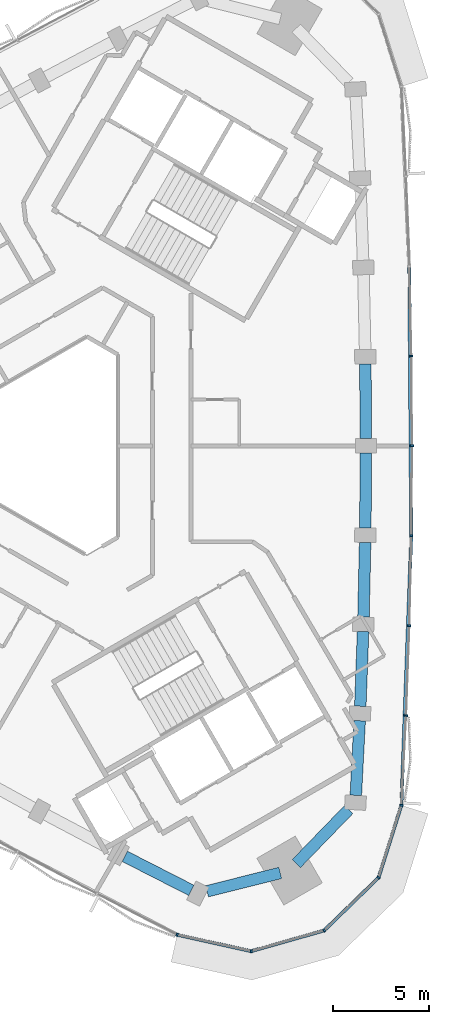
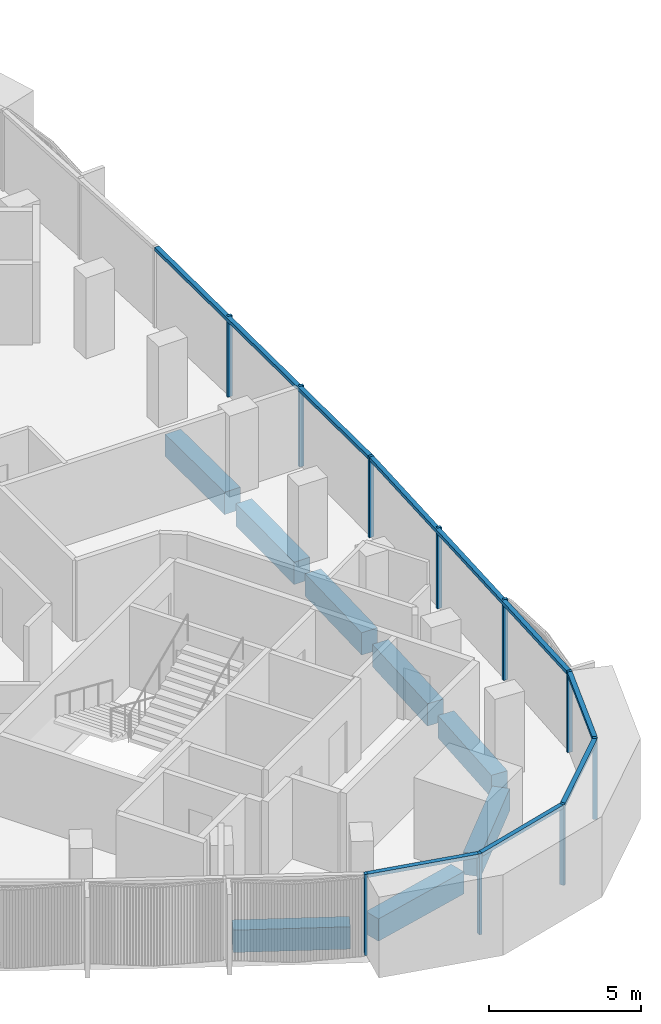
# One storey, part 4 of 16: 16 members, 8 beams, 2 elements without a shape of their own.
"""IFC4 building model written with IfcOpenShell, lengths in metres."""

import ifcopenshell
import ifcopenshell.guid

model = None  # the IFC model being written
_history = None  # IfcOwnerHistory: only IFC2X3 demands one
_inside = {}  # id of a spatial element -> (the spatial element, [elements in it])
_under = {}  # id of a project, library or spatial element -> (it, [spatial elements below it])
_declared = {}  # id of a project -> (the project, [libraries it declares])
_typed = {}  # id of a type object -> (the type object, [elements of that type])
_made_of = {}  # id of a material, layer set ... -> (it, [elements and type objects made of it])


def new_model(schema):
    """Start an empty IFC model of exactly this schema.

    Asked for "IFC4X3", IfcOpenShell would pick the latest addendum, in which some entities
    have other attributes; the version numbers below select the first issue.
    IFC2X3 requires an IfcOwnerHistory on every rooted entity: one is made here for all.
    """
    global model, _history
    if schema == "IFC4X3":
        model = ifcopenshell.file(schema_version=(4, 3, 0, 0))
    else:
        model = ifcopenshell.file(schema=schema)
    _inside.clear()
    _under.clear()
    _declared.clear()
    _typed.clear()
    _made_of.clear()
    _history = None
    if model.schema == "IFC2X3":
        org = make("IfcOrganization", Name="unknown")
        user = make(
            "IfcPersonAndOrganization",
            ThePerson=make("IfcPerson", FamilyName="unknown"),
            TheOrganization=org,
        )
        app = make(
            "IfcApplication",
            ApplicationDeveloper=org,
            Version="unknown",
            ApplicationFullName="unknown",
            ApplicationIdentifier="unknown",
        )
        _history = make(
            "IfcOwnerHistory",
            OwningUser=user,
            OwningApplication=app,
            ChangeAction="ADDED",
            CreationDate=0,
        )
    return model


def make(cls, **values):
    """One entity of the class cls with the attributes given. An attribute that is None is left unset."""
    return model.create_entity(
        cls, **{name: value for name, value in values.items() if value is not None}
    )


def rooted(cls, **values):
    """An entity with a GlobalId (a new one), such as an element, a storey or a relation."""
    return make(cls, GlobalId=ifcopenshell.guid.new(), OwnerHistory=_history, **values)


def si_unit(unit_type, name, prefix=None):
    """IfcSIUnit, for example si_unit("LENGTHUNIT", "METRE", prefix="MILLI")."""
    return make("IfcSIUnit", UnitType=unit_type, Prefix=prefix, Name=name)


def assignment(units):
    """IfcUnitAssignment: the units of a project."""
    return None if units is None else make("IfcUnitAssignment", Units=units)


def point(xyz):
    """IfcCartesianPoint."""
    return None if xyz is None else make("IfcCartesianPoint", Coordinates=xyz)


def direction(xyz):
    """IfcDirection."""
    return None if xyz is None else make("IfcDirection", DirectionRatios=xyz)


def frame(location, z_axis=None, x_axis=None):
    """IfcAxis2Placement3D, a coordinate frame: its origin and axes. An axis left out is left unset."""
    return make(
        "IfcAxis2Placement3D",
        Location=point(location),
        Axis=direction(z_axis),
        RefDirection=direction(x_axis),
    )


def frame_2d(location, x_axis=None):
    """IfcAxis2Placement2D, a coordinate frame in the plane: its origin and x axis."""
    return make(
        "IfcAxis2Placement2D", Location=point(location), RefDirection=direction(x_axis)
    )


def origin():
    """The frame at (0, 0, 0) with its axes left unset."""
    return frame((0.0, 0.0, 0.0))


def origin_2d():
    """The frame at (0, 0) in the plane with its x axis left unset."""
    return frame_2d((0.0, 0.0))


def place(relative_to, where):
    """IfcLocalPlacement: puts the frame where relative to a parent placement (None: the world)."""
    return make(
        "IfcLocalPlacement", PlacementRelTo=relative_to, RelativePlacement=where
    )


def context(
    kind, dimensions, precision=None, world=None, true_north=None, identifier=None
):
    """IfcGeometricRepresentationContext, for example the 3D "Model" context."""
    return make(
        "IfcGeometricRepresentationContext",
        ContextIdentifier=identifier,
        ContextType=kind,
        CoordinateSpaceDimension=dimensions,
        Precision=precision,
        WorldCoordinateSystem=world,
        TrueNorth=true_north,
    )


def subcontext(parent, identifier, kind, view, scale=None):
    """IfcGeometricRepresentationSubContext, for example "Body" below "Model"."""
    return make(
        "IfcGeometricRepresentationSubContext",
        ContextIdentifier=identifier,
        ContextType=kind,
        ParentContext=parent,
        TargetScale=scale,
        TargetView=view,
    )


def project(units=None, contexts=None):
    """IfcProject with its units and contexts."""
    return rooted(
        "IfcProject",
        Name="project",
        RepresentationContexts=contexts,
        UnitsInContext=assignment(units),
    )


def spatial(cls, under=None, at=None, **own):
    """A site, building, storey or space (cls), placed at a placement, below another one or the project."""
    s = rooted(cls, ObjectPlacement=at, **own)
    if under is not None:
        _under.setdefault(under.id(), (under, []))[1].append(s)
    return s


def profile(cls, at=None, kind="AREA", **sizes):
    """A parametric profile (cls). Its sizes go by their IFC names, for example OverallWidth=200.0."""
    return make(cls, ProfileType=kind, Position=at, **sizes)


def rectangle(**sizes):
    """IfcRectangleProfileDef."""
    return profile("IfcRectangleProfileDef", **sizes)


def extrude(swept, where, along, depth):
    """IfcExtrudedAreaSolid: the profile swept, set in the frame where, extruded along a direction by depth."""
    return make(
        "IfcExtrudedAreaSolid",
        SweptArea=swept,
        Position=where,
        ExtrudedDirection=direction(along),
        Depth=depth,
    )


def shape(context_of_items, identifier, shape_type, items):
    """IfcShapeRepresentation: the items that make up one representation, for example the "Body"."""
    return make(
        "IfcShapeRepresentation",
        ContextOfItems=context_of_items,
        RepresentationIdentifier=identifier,
        RepresentationType=shape_type,
        Items=items,
    )


def material(Name=None, Category=None):
    """IfcMaterial."""
    return make("IfcMaterial", Name=Name, Category=Category)


def material_profile(
    of_material, cross_section, Name=None, Category=None, Priority=None
):
    """IfcMaterialProfile: a cross section and its material."""
    return make(
        "IfcMaterialProfile",
        Name=Name,
        Material=of_material,
        Profile=cross_section,
        Priority=Priority,
        Category=Category,
    )


def profile_set(profiles, Name=None, composite=None):
    """IfcMaterialProfileSet."""
    return make(
        "IfcMaterialProfileSet",
        Name=Name,
        MaterialProfiles=profiles,
        CompositeProfile=composite,
    )


def made_of(thing, what):
    """Note that an element or type object is made of a material, layer set ...; save() writes the relation."""
    if what is not None:
        _made_of.setdefault(what.id(), (what, []))[1].append(thing)
    return thing


def type_object(cls, material=None, **own):
    """A type object (cls), such as IfcWallType, which elements share."""
    return made_of(rooted(cls, **own), material)


def element(
    cls,
    number,
    at=None,
    inside=None,
    cuts=None,
    type_object=None,
    material=None,
    context=None,
    identifier="Body",
    shape_type=None,
    held_by="IfcProductDefinitionShape",
    body=None,
    shapes=None,
    **own,
):
    """One element of the class cls, such as IfcWall. Its Tag is "e" and its number.

    at: its placement. inside: the storey or other place that contains it. cuts: it is an
    opening in that element (IfcRelVoidsElement). A single representation is given by context,
    identifier, shape_type and body (its items); several are given by shapes. held_by: the class
    of the entity that holds the representations. save() writes the other relations.
    """
    e = rooted(cls, Tag="e%d" % number, ObjectPlacement=at, **own)
    if body is not None:
        shapes = [shape(context, identifier, shape_type, body)]
    if shapes is not None:
        e.Representation = make(held_by, Representations=shapes)
    if inside is not None:
        _inside.setdefault(inside.id(), (inside, []))[1].append(e)
    if cuts is not None:
        rooted(
            "IfcRelVoidsElement", RelatingBuildingElement=cuts, RelatedOpeningElement=e
        )
    if type_object is not None:
        _typed.setdefault(type_object.id(), (type_object, []))[1].append(e)
    return made_of(e, material)


def aggregate(whole, parts):
    """IfcRelAggregates: a whole, such as a stair, and the parts it consists of."""
    return rooted("IfcRelAggregates", RelatingObject=whole, RelatedObjects=parts)


def save(model, path):
    """Write the relations noted so far, then the file.

    IfcRelAggregates (storeys below a building ...), IfcRelContainedInSpatialStructure (elements
    in a storey), IfcRelDefinesByType, IfcRelAssociatesMaterial and IfcRelDeclares: one each for
    every whole, place, type object, material and project.
    """
    for whole, parts in _under.values():
        aggregate(whole, parts)
    for where, things in _inside.values():
        rooted(
            "IfcRelContainedInSpatialStructure",
            RelatedElements=things,
            RelatingStructure=where,
        )
    for kind, things in _typed.values():
        rooted("IfcRelDefinesByType", RelatedObjects=things, RelatingType=kind)
    for what, things in _made_of.values():
        rooted("IfcRelAssociatesMaterial", RelatedObjects=things, RelatingMaterial=what)
    for by, libraries in _declared.values():
        rooted("IfcRelDeclares", RelatingContext=by, RelatedDefinitions=libraries)
    model.write(path)


model = new_model("IFC4")

# Units and contexts
model_context = context("Model", 3, precision=1e-05, world=origin(), true_north=direction((0.0, 1.0)))
body_context = subcontext(model_context, "Body", "Model", "MODEL_VIEW")
ifc_project = project(units=[si_unit("LENGTHUNIT", "METRE"), si_unit("AREAUNIT", "SQUARE_METRE"), si_unit("VOLUMEUNIT", "CUBIC_METRE"), si_unit("PLANEANGLEUNIT", "RADIAN"), si_unit("MASSUNIT", "GRAM", prefix="KILO")], contexts=[model_context])

# Site, building, storey
site_placement = place(None, origin())
site = spatial("IfcSite", under=ifc_project, at=site_placement, CompositionType="ELEMENT")
building_placement = place(site_placement, origin())
building = spatial("IfcBuilding", under=site, at=building_placement, Name="Tamra Quay Hotel Tower", CompositionType="ELEMENT")
storey_placement = place(building_placement, frame((0.0, 0.0, 239.39990234375)))
storey = spatial("IfcBuildingStorey", under=building, at=storey_placement, Name="L60", CompositionType="ELEMENT", Elevation=239.39990234375)

# Curtain wall, members
ifc_material_1 = material(Name="Aluminium 6063 anodised dark grey", Category="aluminium")
curtain_wall_type_1 = type_object("IfcCurtainWallType", Name="CW1 CURTAIN WALL", PredefinedType="NOTDEFINED", material=ifc_material_1)
curtain_wall_1_placement = place(storey_placement, origin())
curtain_wall_1 = element("IfcCurtainWall", 1, at=curtain_wall_1_placement, inside=storey, type_object=curtain_wall_type_1, Name="CW1 east face L60", PredefinedType="NOTDEFINED")
ifc_material_profile_1 = material_profile(ifc_material_1, rectangle(XDim=0.169921875, YDim=0.10009765625, at=origin_2d()), Name="MULLION 100X170")
ifc_profile_set_1 = profile_set([ifc_material_profile_1], Name="Aluminium 6063 anodised dark grey")
member_type_1 = type_object("IfcMemberType", Name="MULLION CW1 Z5", PredefinedType="MULLION", material=ifc_profile_set_1)
member_1_placement = place(storey_placement, frame((18.50732421875, -18.63037109375, 0.0), z_axis=(0.0, 0.0, 1.0), x_axis=(0.984105369622, -0.177585532857, 0.0)))
member_1 = element("IfcMember", 2, at=member_1_placement, type_object=member_type_1, Name="CW1 mullion L60.E.1", PredefinedType="MULLION", context=body_context, shape_type="SweptSolid", body=[
    extrude(rectangle(XDim=0.169921875, YDim=0.10009765625, at=origin_2d()), origin(), (0.0, 0.0, 1.0), 3.25),
])
member_2_placement = place(storey_placement, frame((18.746826171875, -13.9765625, 0.0), z_axis=(0.0, 0.0, 1.0), x_axis=(0.999028242541, -0.044074602737, 0.0)))
member_2 = element("IfcMember", 3, at=member_2_placement, type_object=member_type_1, Name="CW1 mullion L60.E.2", PredefinedType="MULLION", context=body_context, shape_type="SweptSolid", body=[
    extrude(rectangle(XDim=0.169921875, YDim=0.10009765625, at=origin_2d()), origin(), (0.0, 0.0, 1.0), 3.25),
])
member_3_placement = place(storey_placement, frame((18.91796875, -9.31884765625, 0.0), z_axis=(0.0, 0.0, 1.0), x_axis=(0.999567604461, -0.029404151257, 0.0)))
member_3 = element("IfcMember", 4, at=member_3_placement, type_object=member_type_1, Name="CW1 mullion L60.E.3", PredefinedType="MULLION", context=body_context, shape_type="SweptSolid", body=[
    extrude(rectangle(XDim=0.169921875, YDim=0.10009765625, at=origin_2d()), origin(), (0.0, 0.0, 1.0), 3.25),
])
member_4_placement = place(storey_placement, frame((19.020751953125, -4.66064453125, 0.0), z_axis=(0.0, 0.0, 1.0), x_axis=(0.99989176069, -0.014712814299, 0.0)))
member_4 = element("IfcMember", 5, at=member_4_placement, type_object=member_type_1, Name="CW1 mullion L60.E.4", PredefinedType="MULLION", context=body_context, shape_type="SweptSolid", body=[
    extrude(rectangle(XDim=0.169921875, YDim=0.10009765625, at=origin_2d()), origin(), (0.0, 0.0, 1.0), 3.25),
])
member_5_placement = place(storey_placement, frame((19.05517578125, 0.0, 0.0), z_axis=(0.0, 0.0, 1.0), x_axis=(1.0, 0.0, 0.0)))
member_5 = element("IfcMember", 6, at=member_5_placement, type_object=member_type_1, Name="CW1 mullion L60.E.5", PredefinedType="MULLION", context=body_context, shape_type="SweptSolid", body=[
    extrude(rectangle(XDim=0.169921875, YDim=0.10009765625, at=origin_2d()), origin(), (0.0, 0.0, 1.0), 3.25),
])
member_6_placement = place(storey_placement, frame((19.020751953125, 4.66064453125, 0.0), z_axis=(0.0, 0.0, 1.0), x_axis=(0.99989176069, 0.014712814299, 0.0)))
member_6 = element("IfcMember", 7, at=member_6_placement, type_object=member_type_1, Name="CW1 mullion L60.E.6", PredefinedType="MULLION", context=body_context, shape_type="SweptSolid", body=[
    extrude(rectangle(XDim=0.169921875, YDim=0.10009765625, at=origin_2d()), origin(), (0.0, 0.0, 1.0), 3.25),
])

curtain_wall_type_2 = type_object("IfcCurtainWallType", Name="CW3 CURTAIN WALL", PredefinedType="NOTDEFINED", material=ifc_material_1)
curtain_wall_2_placement = place(storey_placement, origin())
curtain_wall_2 = element("IfcCurtainWall", 8, at=curtain_wall_2_placement, inside=storey, type_object=curtain_wall_type_2, Name="CW3 south-west face L60", PredefinedType="NOTDEFINED")
ifc_material_profile_2 = material_profile(ifc_material_1, rectangle(XDim=0.169921875, YDim=0.10009765625, at=origin_2d()), Name="MULLION 100X170")
ifc_profile_set_2 = profile_set([ifc_material_profile_2], Name="Aluminium 6063 anodised dark grey")
member_type_2 = type_object("IfcMemberType", Name="MULLION CW3 Z5", PredefinedType="MULLION", material=ifc_profile_set_2)
member_7_placement = place(storey_placement, frame((6.880615234375, -25.343017578125, 0.0), z_axis=(0.0, 0.0, 1.0), x_axis=(-0.338259102012, -0.941053016522, 0.0)))
member_7 = element("IfcMember", 9, at=member_7_placement, type_object=member_type_2, Name="CW3 mullion L60.SW.9", PredefinedType="MULLION", context=body_context, shape_type="SweptSolid", body=[
    extrude(rectangle(XDim=0.169921875, YDim=0.10009765625, at=origin_2d()), origin(), (0.0, 0.0, 1.0), 3.25),
])
member_8_placement = place(storey_placement, frame((10.719970703125, -26.193359375, 0.0), z_axis=(0.0, 0.0, 1.0), x_axis=(0.029222506575, -0.999572931361, 0.0)))
member_8 = element("IfcMember", 10, at=member_8_placement, type_object=member_type_2, Name="CW3 mullion L60.SW.10", PredefinedType="MULLION", context=body_context, shape_type="SweptSolid", body=[
    extrude(rectangle(XDim=0.169921875, YDim=0.10009765625, at=origin_2d()), origin(), (0.0, 0.0, 1.0), 3.25),
])
member_9_placement = place(storey_placement, frame((14.503173828125, -25.1201171875, 0.0), z_axis=(0.0, 0.0, 1.0), x_axis=(0.5, -0.866025403784, 0.0)))
member_9 = element("IfcMember", 11, at=member_9_placement, type_object=member_type_2, Name="CW3 mullion L60.SW.11", PredefinedType="MULLION", context=body_context, shape_type="SweptSolid", body=[
    extrude(rectangle(XDim=0.169921875, YDim=0.10009765625, at=origin_2d()), origin(), (0.0, 0.0, 1.0), 3.25),
])
member_10_placement = place(storey_placement, frame((17.323974609375, -22.38037109375, 0.0), z_axis=(0.0, 0.0, 1.0), x_axis=(0.851044298206, -0.525093898736, 0.0)))
member_10 = element("IfcMember", 12, at=member_10_placement, type_object=member_type_2, Name="CW3 mullion L60.SW.12", PredefinedType="MULLION", context=body_context, shape_type="SweptSolid", body=[
    extrude(rectangle(XDim=0.169921875, YDim=0.10009765625, at=origin_2d()), origin(), (0.0, 0.0, 1.0), 3.25),
])

# Beams
ifc_material_2 = material(Name="Concrete M60", Category="concrete")
ifc_material_profile_3 = material_profile(ifc_material_2, rectangle(XDim=0.60009765625, YDim=0.89990234375, at=origin_2d()), Name="SPANDREL BEAM RC 600x900")
ifc_profile_set_3 = profile_set([ifc_material_profile_3], Name="Concrete M60")
beam_type = type_object("IfcBeamType", Name="SPANDREL BEAM RC 600x900", PredefinedType="SPANDREL", material=ifc_profile_set_3)
beam_1_placement = place(storey_placement, frame((16.144775390625, -18.116455078125, -0.7998046875), z_axis=(0.051404854824, 0.998677896471, 0.0), x_axis=(-0.998677896471, 0.051404854824, 0.0)))
element("IfcBeam", 13, at=beam_1_placement, inside=storey, type_object=beam_type, Name="BM-SP5-000-L60", PredefinedType="SPANDREL", context=body_context, shape_type="SweptSolid", body=[
    extrude(rectangle(XDim=0.60009765625, YDim=0.89990234375, at=origin_2d()), origin(), (0.0, 0.0, 1.0), 3.87548828125),
])
beam_2_placement = place(storey_placement, frame((16.377197265625, -13.496826171875, -0.7998046875), z_axis=(0.036732019634, 0.999325151657, 0.0), x_axis=(-0.999325151657, 0.036732019634, 0.0)))
element("IfcBeam", 14, at=beam_2_placement, inside=storey, type_object=beam_type, Name="BM-SP5-001-L60", PredefinedType="SPANDREL", context=body_context, shape_type="SweptSolid", body=[
    extrude(rectangle(XDim=0.60009765625, YDim=0.89990234375, at=origin_2d()), origin(), (0.0, 0.0, 1.0), 3.875),
])
beam_3_placement = place(storey_placement, frame((16.54150390625, -8.874755859375, -0.7998046875), z_axis=(0.022047440235, 0.999756925647, 0.0), x_axis=(-0.999756925647, 0.022047440235, 0.0)))
element("IfcBeam", 15, at=beam_3_placement, inside=storey, type_object=beam_type, Name="BM-SP5-002-L60", PredefinedType="SPANDREL", context=body_context, shape_type="SweptSolid", body=[
    extrude(rectangle(XDim=0.60009765625, YDim=0.89990234375, at=origin_2d()), origin(), (0.0, 0.0, 1.0), 3.875732421875),
])
for number, where, z_axis, x_axis, name in (
    (16, (16.63818359375, -4.25, -0.7998046875), (0.007308272564, 0.999973294219, 0.0), (-0.999973294219, 0.007308272564, 0.0), "BM-SP5-003-L60"),
    (17, (16.66650390625, 0.375, -0.7998046875), (-0.007308272564, 0.999973294219, 0.0), (-0.999973294219, -0.007308272564, 0.0), "BM-SP5-004-L60"),
):
    element("IfcBeam", number, at=place(storey_placement, frame(where, z_axis=z_axis, x_axis=x_axis)), inside=storey, type_object=beam_type, Name=name, PredefinedType="SPANDREL", context=body_context, shape_type="SweptSolid", body=[
        extrude(rectangle(XDim=0.60009765625, YDim=0.89990234375, at=origin_2d()), origin(), (0.0, 0.0, 1.0), 3.875),
    ])
beam_4_placement = place(storey_placement, frame((4.16552734375, -21.277587890625, -0.7998046875), z_axis=(0.890602550436, -0.454782472349, 0.0), x_axis=(0.454782472349, 0.890602550436, 0.0)))
element("IfcBeam", 18, at=beam_4_placement, inside=storey, type_object=beam_type, Name="BM-SP5-027-L60", PredefinedType="SPANDREL", context=body_context, shape_type="SweptSolid", body=[
    extrude(rectangle(XDim=0.60009765625, YDim=0.89990234375, at=origin_2d()), origin(), (0.0, 0.0, 1.0), 3.87548828125),
])
beam_5_placement = place(storey_placement, frame((8.430908203125, -23.090087890625, -0.7998046875), z_axis=(0.969848171666, 0.243709917558, 0.0), x_axis=(-0.243709917558, 0.969848171666, 0.0)))
element("IfcBeam", 19, at=beam_5_placement, inside=storey, type_object=beam_type, Name="BM-SP5-028-L60", PredefinedType="SPANDREL", context=body_context, shape_type="SweptSolid", body=[
    extrude(rectangle(XDim=0.60009765625, YDim=0.89990234375, at=origin_2d()), origin(), (0.0, 0.0, 1.0), 3.912841796875),
])
beam_6_placement = place(storey_placement, frame((13.05810546875, -21.656005859375, -0.7998046875), z_axis=(0.69594408001, 0.718095980701, 0.0), x_axis=(-0.718095980701, 0.69594408001, 0.0)))
element("IfcBeam", 20, at=beam_6_placement, inside=storey, type_object=beam_type, Name="BM-SP5-029-L60", PredefinedType="SPANDREL", context=body_context, shape_type="SweptSolid", body=[
    extrude(rectangle(XDim=0.60009765625, YDim=0.89990234375, at=origin_2d()), origin(), (0.0, 0.0, 1.0), 3.91259765625),
])

# Member
ifc_material_profile_4 = material_profile(ifc_material_1, rectangle(XDim=0.169921875, YDim=0.139892578125, at=origin_2d()), Name="TRANSOM 170X140")
ifc_profile_set_4 = profile_set([ifc_material_profile_4], Name="Aluminium 6063 anodised dark grey")
member_type_3 = type_object("IfcMemberType", Name="TRANSOM CW1 Z5", PredefinedType="USERDEFINED", material=ifc_profile_set_4)
member_11_placement = place(storey_placement, frame((18.509765625, -18.580322265625, 3.18017578125), z_axis=(0.036746859744, 0.999324606071, 0.0), x_axis=(-0.999324606071, 0.036746859744, 0.0)))
member_11 = element("IfcMember", 21, at=member_11_placement, type_object=member_type_3, Name="CW1 transom L60.E.1", ObjectType="TRANSOM", PredefinedType="USERDEFINED", context=body_context, shape_type="SweptSolid", body=[
    extrude(rectangle(XDim=0.169921875, YDim=0.139892578125, at=origin_2d()), origin(), (0.0, 0.0, 1.0), 13.87890625),
])

member_12_placement = place(storey_placement, frame((19.021240234375, -4.61083984375, 3.18017578125), z_axis=(-0.007352354434, 0.999972971077, 0.0), x_axis=(-0.999972971077, -0.007352354434, 0.0)))
member_12 = element("IfcMember", 22, at=member_12_placement, type_object=member_type_3, Name="CW1 transom L60.E.4", ObjectType="TRANSOM", PredefinedType="USERDEFINED", context=body_context, shape_type="SweptSolid", body=[
    extrude(rectangle(XDim=0.169921875, YDim=0.139892578125, at=origin_2d()), origin(), (0.0, 0.0, 1.0), 13.880126953125),
])

aggregate(curtain_wall_1, [member_1, member_11, member_2, member_3, member_4, member_12, member_5, member_6])

ifc_material_profile_5 = material_profile(ifc_material_1, rectangle(XDim=0.169921875, YDim=0.139892578125, at=origin_2d()), Name="TRANSOM 170X140")
ifc_profile_set_5 = profile_set([ifc_material_profile_5], Name="Aluminium 6063 anodised dark grey")
member_type_4 = type_object("IfcMemberType", Name="TRANSOM CW3 Z5", PredefinedType="USERDEFINED", material=ifc_profile_set_5)
member_13_placement = place(storey_placement, frame((6.929443359375, -25.353759765625, 3.18017578125), z_axis=(0.976345686568, -0.216215402598, 0.0), x_axis=(0.216215402598, 0.976345686568, 0.0)))
member_13 = element("IfcMember", 23, at=member_13_placement, type_object=member_type_4, Name="CW3 transom L60.SW.9", ObjectType="TRANSOM", PredefinedType="USERDEFINED", context=body_context, shape_type="SweptSolid", body=[
    extrude(rectangle(XDim=0.169921875, YDim=0.139892578125, at=origin_2d()), origin(), (0.0, 0.0, 1.0), 3.832275390625),
])

member_14_placement = place(storey_placement, frame((10.76806640625, -26.1796875, 3.18017578125), z_axis=(0.962041469084, 0.272903301123, 0.0), x_axis=(-0.272903301123, 0.962041469084, 0.0)))
member_14 = element("IfcMember", 24, at=member_14_placement, type_object=member_type_4, Name="CW3 transom L60.SW.10", ObjectType="TRANSOM", PredefinedType="USERDEFINED", context=body_context, shape_type="SweptSolid", body=[
    extrude(rectangle(XDim=0.169921875, YDim=0.139892578125, at=origin_2d()), origin(), (0.0, 0.0, 1.0), 3.83251953125),
])

member_15_placement = place(storey_placement, frame((14.5390625, -25.085205078125, 3.18017578125), z_axis=(0.717352155518, 0.696710761345, 0.0), x_axis=(-0.696710761345, 0.717352155518, 0.0)))
member_15 = element("IfcMember", 25, at=member_15_placement, type_object=member_type_4, Name="CW3 transom L60.SW.11", ObjectType="TRANSOM", PredefinedType="USERDEFINED", context=body_context, shape_type="SweptSolid", body=[
    extrude(rectangle(XDim=0.169921875, YDim=0.139892578125, at=origin_2d()), origin(), (0.0, 0.0, 1.0), 3.832275390625),
])

member_16_placement = place(storey_placement, frame((17.339111328125, -22.332763671875, 3.18017578125), z_axis=(0.300878302807, 0.953662543513, 0.0), x_axis=(-0.953662543513, 0.300878302807, 0.0)))
member_16 = element("IfcMember", 26, at=member_16_placement, type_object=member_type_4, Name="CW3 transom L60.SW.12", ObjectType="TRANSOM", PredefinedType="USERDEFINED", context=body_context, shape_type="SweptSolid", body=[
    extrude(rectangle(XDim=0.169921875, YDim=0.139892578125, at=origin_2d()), origin(), (0.0, 0.0, 1.0), 3.832275390625),
])

aggregate(curtain_wall_2, [member_7, member_13, member_8, member_14, member_9, member_15, member_10, member_16])

save(model, "model.ifc")
